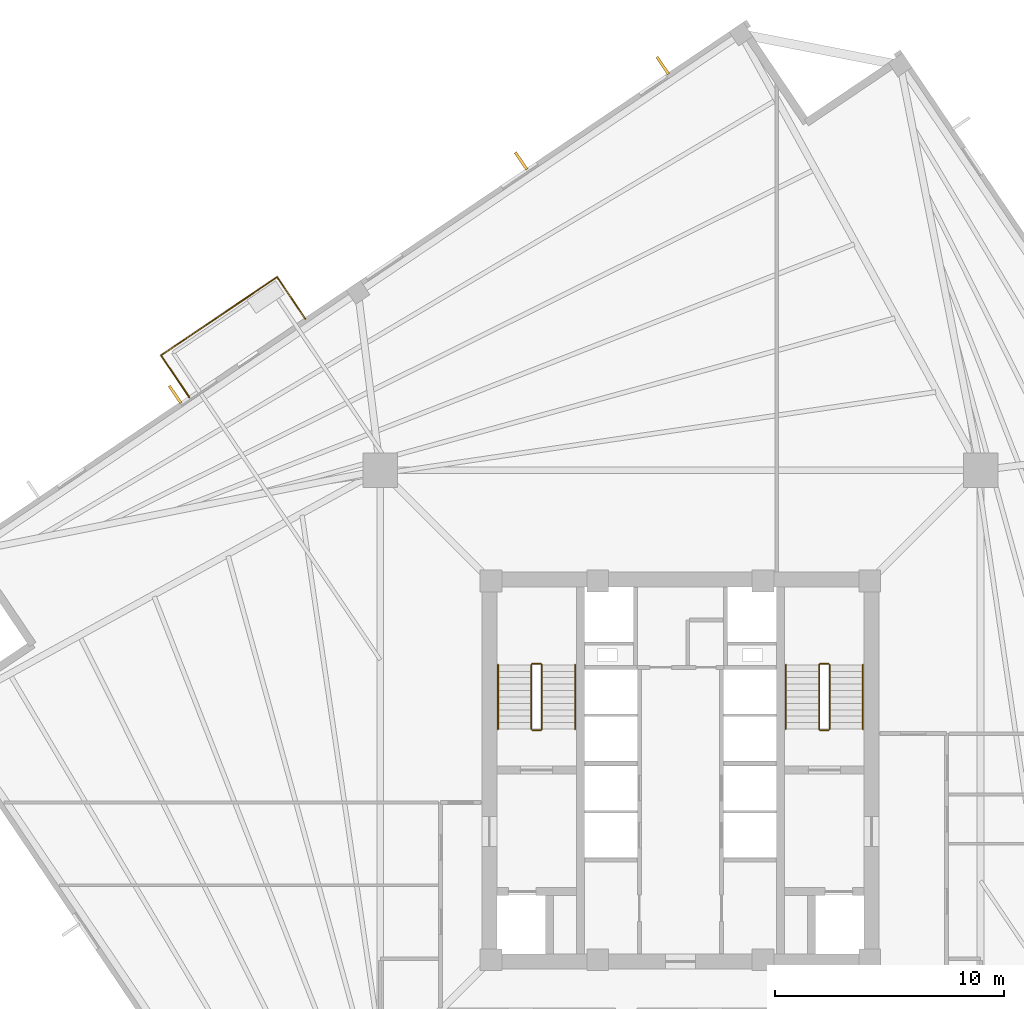
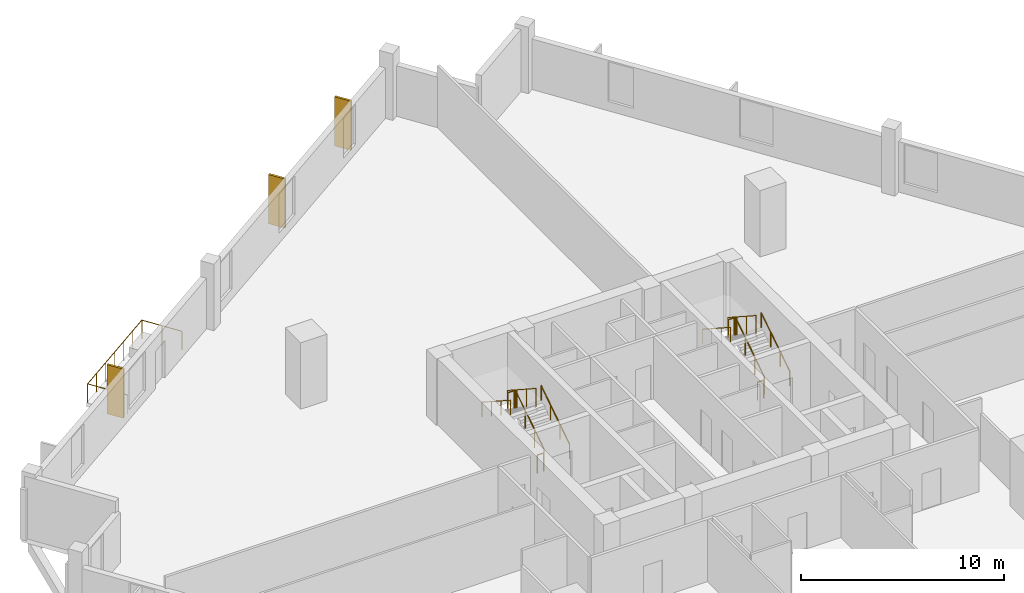
# One storey, part 7 of 8: 15 railings, 3 coverings.
"""IFC4 building model written with IfcOpenShell, lengths in metres."""

import ifcopenshell
import ifcopenshell.guid

model = None  # the IFC model being written
_history = None  # IfcOwnerHistory: only IFC2X3 demands one
_inside = {}  # id of a spatial element -> (the spatial element, [elements in it])
_under = {}  # id of a project, library or spatial element -> (it, [spatial elements below it])
_declared = {}  # id of a project -> (the project, [libraries it declares])
_typed = {}  # id of a type object -> (the type object, [elements of that type])
_made_of = {}  # id of a material, layer set ... -> (it, [elements and type objects made of it])


def new_model(schema):
    """Start an empty IFC model of exactly this schema.

    Asked for "IFC4X3", IfcOpenShell would pick the latest addendum, in which some entities
    have other attributes; the version numbers below select the first issue.
    IFC2X3 requires an IfcOwnerHistory on every rooted entity: one is made here for all.
    """
    global model, _history
    if schema == "IFC4X3":
        model = ifcopenshell.file(schema_version=(4, 3, 0, 0))
    else:
        model = ifcopenshell.file(schema=schema)
    _inside.clear()
    _under.clear()
    _declared.clear()
    _typed.clear()
    _made_of.clear()
    _history = None
    if model.schema == "IFC2X3":
        org = make("IfcOrganization", Name="unknown")
        user = make(
            "IfcPersonAndOrganization",
            ThePerson=make("IfcPerson", FamilyName="unknown"),
            TheOrganization=org,
        )
        app = make(
            "IfcApplication",
            ApplicationDeveloper=org,
            Version="unknown",
            ApplicationFullName="unknown",
            ApplicationIdentifier="unknown",
        )
        _history = make(
            "IfcOwnerHistory",
            OwningUser=user,
            OwningApplication=app,
            ChangeAction="ADDED",
            CreationDate=0,
        )
    return model


def make(cls, **values):
    """One entity of the class cls with the attributes given. An attribute that is None is left unset."""
    return model.create_entity(
        cls, **{name: value for name, value in values.items() if value is not None}
    )


def rooted(cls, **values):
    """An entity with a GlobalId (a new one), such as an element, a storey or a relation."""
    return make(cls, GlobalId=ifcopenshell.guid.new(), OwnerHistory=_history, **values)


def si_unit(unit_type, name, prefix=None):
    """IfcSIUnit, for example si_unit("LENGTHUNIT", "METRE", prefix="MILLI")."""
    return make("IfcSIUnit", UnitType=unit_type, Prefix=prefix, Name=name)


def assignment(units):
    """IfcUnitAssignment: the units of a project."""
    return None if units is None else make("IfcUnitAssignment", Units=units)


def point(xyz):
    """IfcCartesianPoint."""
    return None if xyz is None else make("IfcCartesianPoint", Coordinates=xyz)


def direction(xyz):
    """IfcDirection."""
    return None if xyz is None else make("IfcDirection", DirectionRatios=xyz)


def frame(location, z_axis=None, x_axis=None):
    """IfcAxis2Placement3D, a coordinate frame: its origin and axes. An axis left out is left unset."""
    return make(
        "IfcAxis2Placement3D",
        Location=point(location),
        Axis=direction(z_axis),
        RefDirection=direction(x_axis),
    )


def frame_2d(location, x_axis=None):
    """IfcAxis2Placement2D, a coordinate frame in the plane: its origin and x axis."""
    return make(
        "IfcAxis2Placement2D", Location=point(location), RefDirection=direction(x_axis)
    )


def origin():
    """The frame at (0, 0, 0) with its axes left unset."""
    return frame((0.0, 0.0, 0.0))


def origin_2d():
    """The frame at (0, 0) in the plane with its x axis left unset."""
    return frame_2d((0.0, 0.0))


def place(relative_to, where):
    """IfcLocalPlacement: puts the frame where relative to a parent placement (None: the world)."""
    return make(
        "IfcLocalPlacement", PlacementRelTo=relative_to, RelativePlacement=where
    )


def context(
    kind, dimensions, precision=None, world=None, true_north=None, identifier=None
):
    """IfcGeometricRepresentationContext, for example the 3D "Model" context."""
    return make(
        "IfcGeometricRepresentationContext",
        ContextIdentifier=identifier,
        ContextType=kind,
        CoordinateSpaceDimension=dimensions,
        Precision=precision,
        WorldCoordinateSystem=world,
        TrueNorth=true_north,
    )


def subcontext(parent, identifier, kind, view, scale=None):
    """IfcGeometricRepresentationSubContext, for example "Body" below "Model"."""
    return make(
        "IfcGeometricRepresentationSubContext",
        ContextIdentifier=identifier,
        ContextType=kind,
        ParentContext=parent,
        TargetScale=scale,
        TargetView=view,
    )


def project(units=None, contexts=None):
    """IfcProject with its units and contexts."""
    return rooted(
        "IfcProject",
        Name="project",
        RepresentationContexts=contexts,
        UnitsInContext=assignment(units),
    )


def spatial(cls, under=None, at=None, **own):
    """A site, building, storey or space (cls), placed at a placement, below another one or the project."""
    s = rooted(cls, ObjectPlacement=at, **own)
    if under is not None:
        _under.setdefault(under.id(), (under, []))[1].append(s)
    return s


def profile(cls, at=None, kind="AREA", **sizes):
    """A parametric profile (cls). Its sizes go by their IFC names, for example OverallWidth=200.0."""
    return make(cls, ProfileType=kind, Position=at, **sizes)


def rectangle(**sizes):
    """IfcRectangleProfileDef."""
    return profile("IfcRectangleProfileDef", **sizes)


def circle(**sizes):
    """IfcCircleProfileDef."""
    return profile("IfcCircleProfileDef", **sizes)


def extrude(swept, where, along, depth):
    """IfcExtrudedAreaSolid: the profile swept, set in the frame where, extruded along a direction by depth."""
    return make(
        "IfcExtrudedAreaSolid",
        SweptArea=swept,
        Position=where,
        ExtrudedDirection=direction(along),
        Depth=depth,
    )


def shape(context_of_items, identifier, shape_type, items):
    """IfcShapeRepresentation: the items that make up one representation, for example the "Body"."""
    return make(
        "IfcShapeRepresentation",
        ContextOfItems=context_of_items,
        RepresentationIdentifier=identifier,
        RepresentationType=shape_type,
        Items=items,
    )


def source(mapping_origin, context_of_items, identifier, shape_type, items):
    """IfcRepresentationMap: a shape defined once, which mapped items show again and again."""
    return make(
        "IfcRepresentationMap",
        MappingOrigin=mapping_origin,
        MappedRepresentation=shape(context_of_items, identifier, shape_type, items),
    )


def transform(
    local_origin,
    x_axis=None,
    y_axis=None,
    z_axis=None,
    scale=None,
    scale2=None,
    scale3=None,
    uniform=True,
):
    """IfcCartesianTransformationOperator3D, or its non-uniform kind. x_axis, y_axis, z_axis: its Axis1, 2, 3."""
    if uniform:
        return make(
            "IfcCartesianTransformationOperator3D",
            Axis1=direction(x_axis),
            Axis2=direction(y_axis),
            LocalOrigin=point(local_origin),
            Scale=scale,
            Axis3=direction(z_axis),
        )
    return make(
        "IfcCartesianTransformationOperator3DnonUniform",
        Axis1=direction(x_axis),
        Axis2=direction(y_axis),
        LocalOrigin=point(local_origin),
        Scale=scale,
        Axis3=direction(z_axis),
        Scale2=scale2,
        Scale3=scale3,
    )


def mapped(mapping_source, mapping_target):
    """IfcMappedItem: shows the shape of a source again, moved by a transform."""
    return make(
        "IfcMappedItem", MappingSource=mapping_source, MappingTarget=mapping_target
    )


def material(Name=None, Category=None):
    """IfcMaterial."""
    return make("IfcMaterial", Name=Name, Category=Category)


def layer(
    of_material, thickness, ventilated=None, Name=None, Category=None, Priority=None
):
    """IfcMaterialLayer: one layer of a wall or slab, of a material (None: an air gap)."""
    return make(
        "IfcMaterialLayer",
        Material=of_material,
        LayerThickness=thickness,
        IsVentilated=ventilated,
        Name=Name,
        Category=Category,
        Priority=Priority,
    )


def layer_set(layers, Name=None):
    """IfcMaterialLayerSet."""
    return make("IfcMaterialLayerSet", MaterialLayers=layers, LayerSetName=Name)


def made_of(thing, what):
    """Note that an element or type object is made of a material, layer set ...; save() writes the relation."""
    if what is not None:
        _made_of.setdefault(what.id(), (what, []))[1].append(thing)
    return thing


def type_object(cls, material=None, **own):
    """A type object (cls), such as IfcWallType, which elements share."""
    return made_of(rooted(cls, **own), material)


def element(
    cls,
    number,
    at=None,
    inside=None,
    cuts=None,
    type_object=None,
    material=None,
    context=None,
    identifier="Body",
    shape_type=None,
    held_by="IfcProductDefinitionShape",
    body=None,
    shapes=None,
    **own,
):
    """One element of the class cls, such as IfcWall. Its Tag is "e" and its number.

    at: its placement. inside: the storey or other place that contains it. cuts: it is an
    opening in that element (IfcRelVoidsElement). A single representation is given by context,
    identifier, shape_type and body (its items); several are given by shapes. held_by: the class
    of the entity that holds the representations. save() writes the other relations.
    """
    e = rooted(cls, Tag="e%d" % number, ObjectPlacement=at, **own)
    if body is not None:
        shapes = [shape(context, identifier, shape_type, body)]
    if shapes is not None:
        e.Representation = make(held_by, Representations=shapes)
    if inside is not None:
        _inside.setdefault(inside.id(), (inside, []))[1].append(e)
    if cuts is not None:
        rooted(
            "IfcRelVoidsElement", RelatingBuildingElement=cuts, RelatedOpeningElement=e
        )
    if type_object is not None:
        _typed.setdefault(type_object.id(), (type_object, []))[1].append(e)
    return made_of(e, material)


def aggregate(whole, parts):
    """IfcRelAggregates: a whole, such as a stair, and the parts it consists of."""
    return rooted("IfcRelAggregates", RelatingObject=whole, RelatedObjects=parts)


def save(model, path):
    """Write the relations noted so far, then the file.

    IfcRelAggregates (storeys below a building ...), IfcRelContainedInSpatialStructure (elements
    in a storey), IfcRelDefinesByType, IfcRelAssociatesMaterial and IfcRelDeclares: one each for
    every whole, place, type object, material and project.
    """
    for whole, parts in _under.values():
        aggregate(whole, parts)
    for where, things in _inside.values():
        rooted(
            "IfcRelContainedInSpatialStructure",
            RelatedElements=things,
            RelatingStructure=where,
        )
    for kind, things in _typed.values():
        rooted("IfcRelDefinesByType", RelatedObjects=things, RelatingType=kind)
    for what, things in _made_of.values():
        rooted("IfcRelAssociatesMaterial", RelatedObjects=things, RelatingMaterial=what)
    for by, libraries in _declared.values():
        rooted("IfcRelDeclares", RelatingContext=by, RelatedDefinitions=libraries)
    model.write(path)


model = new_model("IFC4")

# Units and contexts
model_context = context("Model", 3, precision=1e-05, world=origin(), true_north=direction((0.0, 1.0)))
body_context = subcontext(model_context, "Body", "Model", "MODEL_VIEW")
ifc_project = project(units=[si_unit("LENGTHUNIT", "METRE"), si_unit("AREAUNIT", "SQUARE_METRE"), si_unit("VOLUMEUNIT", "CUBIC_METRE"), si_unit("PLANEANGLEUNIT", "RADIAN"), si_unit("MASSUNIT", "GRAM", prefix="KILO"), si_unit("THERMODYNAMICTEMPERATUREUNIT", "KELVIN")], contexts=[model_context])

# Site, building, storey
site_placement = place(None, origin())
site = spatial("IfcSite", under=ifc_project, at=site_placement, CompositionType="ELEMENT")
building_placement = place(site_placement, origin())
building = spatial("IfcBuilding", under=site, at=building_placement, Name="Kosmvard Interchange Tower", CompositionType="ELEMENT")
storey_placement = place(building_placement, frame((0.0, 0.0, 172.39990234375)))
storey = spatial("IfcBuildingStorey", under=building, at=storey_placement, Name="L41", CompositionType="ELEMENT", Elevation=172.39990234375)

# Coverings
ifc_material_1 = material(Name="Architectural anodised aluminium", Category="aluminium")
ifc_layer = layer(ifc_material_1, 0.1201171875, Name="Architectural anodised aluminium")
ifc_layer_set = layer_set([ifc_layer], Name="Architectural anodised aluminium")
covering_type = type_object("IfcCoveringType", Name="Rotating Vertical Sun-Breaker Fin 900x120 Aluminium", PredefinedType="CLADDING", material=ifc_layer_set)
shared_shape_1 = source(origin(), body_context, "Body", "SweptSolid", [
    extrude(rectangle(XDim=0.89990234375, YDim=0.1201171875, at=origin_2d()), origin(), (0.0, 0.0, 1.0), 2.9599609375),
])
for number, where, z_axis, x_axis, name in (
    (1, (-0.774169921875, 30.718994140625, 0.0400390625), (0.0, 0.0, 1.0), (-0.562516359159, 0.826786154745, 0.0), "L41 Rotating Vertical Sun-Breaker Fin 09"),
    (2, (-6.943115234375, 26.557861328125, 0.0400390625), (0.0, 0.0, 1.0), (-0.562516359159, 0.826786154745, 0.0), "L41 Rotating Vertical Sun-Breaker Fin 10"),
    (3, (-22.02294921875, 16.38623046875, 0.0400390625), (0.0, 0.0, 1.0), (-0.562516359159, 0.826786154745, 0.0), "L41 Rotating Vertical Sun-Breaker Fin 11"),
):
    element("IfcCovering", number, at=place(storey_placement, frame(where, z_axis=z_axis, x_axis=x_axis)), inside=storey, type_object=covering_type, Name=name, PredefinedType="CLADDING", context=body_context, shape_type="MappedRepresentation", body=[
        mapped(shared_shape_1, transform((0.0, 0.0, 0.0), scale=1.0)),
    ])

# Railings
ifc_material_2 = material(Name="Steel S355", Category="steel")
railing_type_1 = type_object("IfcRailingType", Name="Observation & Balcony Glass-Infill Balustrade 1150", PredefinedType="BALUSTRADE", material=ifc_material_2)
shared_shape_2 = source(origin(), body_context, "Body", "SweptSolid", [
    extrude(circle(Radius=0.02392578125, at=origin_2d()), frame((0.0, 0.0, 1.1259765625), z_axis=(0.559173597279, -0.829050594418, 0.0), x_axis=(0.829050594418, 0.559173597279, 0.0)), (0.0, 0.0, 1.0), 2.2001953125),
    extrude(circle(Radius=0.02099609375, at=origin_2d()), origin(), (0.0, 0.0, 1.0), 1.101806640625),
    extrude(circle(Radius=0.02099609375, at=origin_2d()), frame((0.615234375, -0.912109375, 0.0)), (0.0, 0.0, 1.0), 1.101806640625),
    extrude(circle(Radius=0.02099609375, at=origin_2d()), frame((1.230224609375, -1.823974609375, 0.0)), (0.0, 0.0, 1.0), 1.101806640625),
])
railing_1_placement = place(storey_placement, frame((-22.6328125, 18.0859375, 0.0)))
element("IfcRailing", 4, at=railing_1_placement, inside=storey, type_object=railing_type_1, Name="L41 Outdoor Terrace Guard BAL-L41-NE-C", PredefinedType="BALUSTRADE", context=body_context, shape_type="MappedRepresentation", body=[
    mapped(shared_shape_2, transform((0.0, 0.0, 0.0), scale=1.0)),
])
shared_shape_3 = source(origin(), body_context, "Body", "SweptSolid", [
    extrude(circle(Radius=0.02392578125, at=origin_2d()), frame((0.0, 0.0, 1.1259765625), z_axis=(-0.559173597279, 0.829050594418, 0.0), x_axis=(-0.829050594418, -0.559173597279, 0.0)), (0.0, 0.0, 1.0), 2.2001953125),
    extrude(circle(Radius=0.02099609375, at=origin_2d()), origin(), (0.0, 0.0, 1.0), 1.101806640625),
    extrude(circle(Radius=0.02099609375, at=origin_2d()), frame((-0.615234375, 0.912109375, 0.0)), (0.0, 0.0, 1.0), 1.101806640625),
    extrude(circle(Radius=0.02099609375, at=origin_2d()), frame((-1.230224609375, 1.823974609375, 0.0)), (0.0, 0.0, 1.0), 1.101806640625),
])
railing_2_placement = place(storey_placement, frame((-16.345458984375, 19.673095703125, 0.0)))
element("IfcRailing", 5, at=railing_2_placement, inside=storey, type_object=railing_type_1, Name="L41 Outdoor Terrace Guard BAL-L41-NE-A", PredefinedType="BALUSTRADE", context=body_context, shape_type="MappedRepresentation", body=[
    mapped(shared_shape_3, transform((0.0, 0.0, 0.0), scale=1.0)),
])
shared_shape_4 = source(origin(), body_context, "Body", "SweptSolid", [
    extrude(circle(Radius=0.02392578125, at=origin_2d()), frame((0.0, 0.0, 1.1259765625), z_axis=(-0.829033294248, -0.55919924627, 0.0), x_axis=(0.55919924627, -0.829033294248, 0.0)), (0.0, 0.0, 1.0), 6.10009765625),
    extrude(circle(Radius=0.02099609375, at=origin_2d()), origin(), (0.0, 0.0, 1.0), 1.101806640625),
    extrude(circle(Radius=0.02099609375, at=origin_2d()), frame((-0.8427734375, -0.568603515625, 0.0)), (0.0, 0.0, 1.0), 1.101806640625),
    extrude(circle(Radius=0.02099609375, at=origin_2d()), frame((-1.685791015625, -1.136962890625, 0.0)), (0.0, 0.0, 1.0), 1.101806640625),
    extrude(circle(Radius=0.02099609375, at=origin_2d()), frame((-2.528564453125, -1.70556640625, 0.0)), (0.0, 0.0, 1.0), 1.101806640625),
    extrude(circle(Radius=0.02099609375, at=origin_2d()), frame((-3.371337890625, -2.274169921875, 0.0)), (0.0, 0.0, 1.0), 1.101806640625),
    extrude(circle(Radius=0.02099609375, at=origin_2d()), frame((-4.21435546875, -2.842529296875, 0.0)), (0.0, 0.0, 1.0), 1.101806640625),
    extrude(circle(Radius=0.02099609375, at=origin_2d()), frame((-5.05712890625, -3.4111328125, 0.0)), (0.0, 0.0, 1.0), 1.101806640625),
])
railing_3_placement = place(storey_placement, frame((-17.57568359375, 21.4970703125, 0.0)))
element("IfcRailing", 6, at=railing_3_placement, inside=storey, type_object=railing_type_1, Name="L41 Outdoor Terrace Guard BAL-L41-NE-B", PredefinedType="BALUSTRADE", context=body_context, shape_type="MappedRepresentation", body=[
    mapped(shared_shape_4, transform((0.0, 0.0, 0.0), scale=1.0)),
])
railing_type_2 = type_object("IfcRailingType", Name="Stair & Terrace Safety Guardrail 1100 Steel", PredefinedType="GUARDRAIL", material=ifc_material_2)
shared_shape_5 = source(origin(), body_context, "Body", "SweptSolid", [
    extrude(circle(Radius=0.02392578125, at=origin_2d()), frame((0.0, 0.0, 1.076171875), z_axis=(-1.0, 0.0, 0.0), x_axis=(0.0, -1.0, 0.0)), (0.0, 0.0, 1.0), 0.35986328125),
    extrude(circle(Radius=0.02099609375, at=origin_2d()), origin(), (0.0, 0.0, 1.0), 1.052001953125),
    extrude(circle(Radius=0.02099609375, at=origin_2d()), frame((-0.35986328125, 0.0, 0.0)), (0.0, 0.0, 1.0), 1.052001953125),
])
for number, where, name in (
    (7, (-6.090087890625, 4.64990234375, 2.0), "L41 ST-1 stair guard 2"),
    (8, (-6.090087890625, 1.75, 0.0), "L41 ST-1 stair guard 4"),
    (9, (6.449951171875, 4.64990234375, 2.0), "L41 ST-2 stair guard 2"),
    (10, (6.449951171875, 1.75, 0.0), "L41 ST-2 stair guard 4"),
):
    element("IfcRailing", number, at=place(storey_placement, frame(where)), inside=storey, type_object=railing_type_2, Name=name, PredefinedType="GUARDRAIL", context=body_context, shape_type="MappedRepresentation", body=[
        mapped(shared_shape_5, transform((0.0, 0.0, 0.0), scale=1.0)),
    ])
shared_shape_6 = source(origin(), body_context, "Body", "SweptSolid", [
    extrude(circle(Radius=0.02392578125, at=origin_2d()), frame((0.0, 0.0, 1.076171875), z_axis=(0.0, 0.838705829183, 0.544584733623), x_axis=(-1.0, 0.0, 0.0)), (0.0, 0.0, 1.0), 3.338623046875),
    extrude(circle(Radius=0.02099609375, at=origin_2d()), origin(), (0.0, 0.0, 1.0), 1.052001953125),
    extrude(circle(Radius=0.02099609375, at=origin_2d()), frame((0.0, 0.933349609375, 0.60595703125)), (0.0, 0.0, 1.0), 1.052001953125),
    extrude(circle(Radius=0.02099609375, at=origin_2d()), frame((0.0, 1.86669921875, 1.212158203125)), (0.0, 0.0, 1.0), 1.052001953125),
    extrude(circle(Radius=0.02099609375, at=origin_2d()), frame((0.0, 2.800048828125, 1.818115234375)), (0.0, 0.0, 1.0), 1.052001953125),
])
for number, where, name in (
    (11, (-6.0400390625, 1.800048828125, 0.181884765625), "L41 ST-1 stair guard 1"),
    (12, (6.5, 1.800048828125, 0.181884765625), "L41 ST-2 stair guard 1"),
):
    element("IfcRailing", number, at=place(storey_placement, frame(where)), inside=storey, type_object=railing_type_2, Name=name, PredefinedType="GUARDRAIL", context=body_context, shape_type="MappedRepresentation", body=[
        mapped(shared_shape_6, transform((0.0, 0.0, 0.0), scale=1.0)),
    ])
shared_shape_7 = source(origin(), body_context, "Body", "SweptSolid", [
    extrude(circle(Radius=0.02392578125, at=origin_2d()), frame((0.0, 0.0, 1.076171875), z_axis=(0.0, -0.838705829183, 0.544584733623), x_axis=(1.0, 0.0, 0.0)), (0.0, 0.0, 1.0), 3.338623046875),
    extrude(circle(Radius=0.02099609375, at=origin_2d()), origin(), (0.0, 0.0, 1.0), 1.052001953125),
    extrude(circle(Radius=0.02099609375, at=origin_2d()), frame((0.0, -0.933349609375, 0.60595703125)), (0.0, 0.0, 1.0), 1.052001953125),
    extrude(circle(Radius=0.02099609375, at=origin_2d()), frame((0.0, -1.86669921875, 1.212158203125)), (0.0, 0.0, 1.0), 1.052001953125),
    extrude(circle(Radius=0.02099609375, at=origin_2d()), frame((0.0, -2.800048828125, 1.818115234375)), (0.0, 0.0, 1.0), 1.052001953125),
])
for number, where, name in (
    (13, (-6.5, 4.60009765625, 2.181884765625), "L41 ST-1 stair guard 3"),
    (14, (6.0400390625, 4.60009765625, 2.181884765625), "L41 ST-2 stair guard 3"),
):
    element("IfcRailing", number, at=place(storey_placement, frame(where)), inside=storey, type_object=railing_type_2, Name=name, PredefinedType="GUARDRAIL", context=body_context, shape_type="MappedRepresentation", body=[
        mapped(shared_shape_7, transform((0.0, 0.0, 0.0), scale=1.0)),
    ])
railing_type_3 = type_object("IfcRailingType", Name="Wall-Mounted Stair Handrail 900 Steel", PredefinedType="HANDRAIL", material=ifc_material_2)
shared_shape_8 = source(origin(), body_context, "Body", "SweptSolid", [
    extrude(circle(Radius=0.02392578125, at=origin_2d()), frame((0.0, 0.0, 0.8759765625), z_axis=(0.0, 0.838705829183, 0.544584733623), x_axis=(-1.0, 0.0, 0.0)), (0.0, 0.0, 1.0), 3.338623046875),
    extrude(circle(Radius=0.02099609375, at=origin_2d()), origin(), (0.0, 0.0, 1.0), 0.851806640625),
    extrude(circle(Radius=0.02099609375, at=origin_2d()), frame((0.0, 0.933349609375, 0.60595703125)), (0.0, 0.0, 1.0), 0.851806640625),
    extrude(circle(Radius=0.02099609375, at=origin_2d()), frame((0.0, 1.86669921875, 1.212158203125)), (0.0, 0.0, 1.0), 0.851806640625),
    extrude(circle(Radius=0.02099609375, at=origin_2d()), frame((0.0, 2.800048828125, 1.818115234375)), (0.0, 0.0, 1.0), 0.851806640625),
])
for number, where, name in (
    (15, (-4.590087890625, 1.800048828125, 0.181884765625), "L41 ST-1 stair handrail 1"),
    (16, (7.949951171875, 1.800048828125, 0.181884765625), "L41 ST-2 stair handrail 1"),
):
    element("IfcRailing", number, at=place(storey_placement, frame(where)), inside=storey, type_object=railing_type_3, Name=name, PredefinedType="HANDRAIL", context=body_context, shape_type="MappedRepresentation", body=[
        mapped(shared_shape_8, transform((0.0, 0.0, 0.0), scale=1.0)),
    ])
shared_shape_9 = source(origin(), body_context, "Body", "SweptSolid", [
    extrude(circle(Radius=0.02392578125, at=origin_2d()), frame((0.0, 0.0, 0.8759765625), z_axis=(0.0, -0.838705829183, 0.544584733623), x_axis=(1.0, 0.0, 0.0)), (0.0, 0.0, 1.0), 3.338623046875),
    extrude(circle(Radius=0.02099609375, at=origin_2d()), origin(), (0.0, 0.0, 1.0), 0.851806640625),
    extrude(circle(Radius=0.02099609375, at=origin_2d()), frame((0.0, -0.933349609375, 0.60595703125)), (0.0, 0.0, 1.0), 0.851806640625),
    extrude(circle(Radius=0.02099609375, at=origin_2d()), frame((0.0, -1.86669921875, 1.212158203125)), (0.0, 0.0, 1.0), 0.851806640625),
    extrude(circle(Radius=0.02099609375, at=origin_2d()), frame((0.0, -2.800048828125, 1.818115234375)), (0.0, 0.0, 1.0), 0.851806640625),
])
for number, where, name in (
    (17, (-7.949951171875, 4.60009765625, 2.181884765625), "L41 ST-1 stair handrail 2"),
    (18, (4.590087890625, 4.60009765625, 2.181884765625), "L41 ST-2 stair handrail 2"),
):
    element("IfcRailing", number, at=place(storey_placement, frame(where)), inside=storey, type_object=railing_type_3, Name=name, PredefinedType="HANDRAIL", context=body_context, shape_type="MappedRepresentation", body=[
        mapped(shared_shape_9, transform((0.0, 0.0, 0.0), scale=1.0)),
    ])

save(model, "model.ifc")
